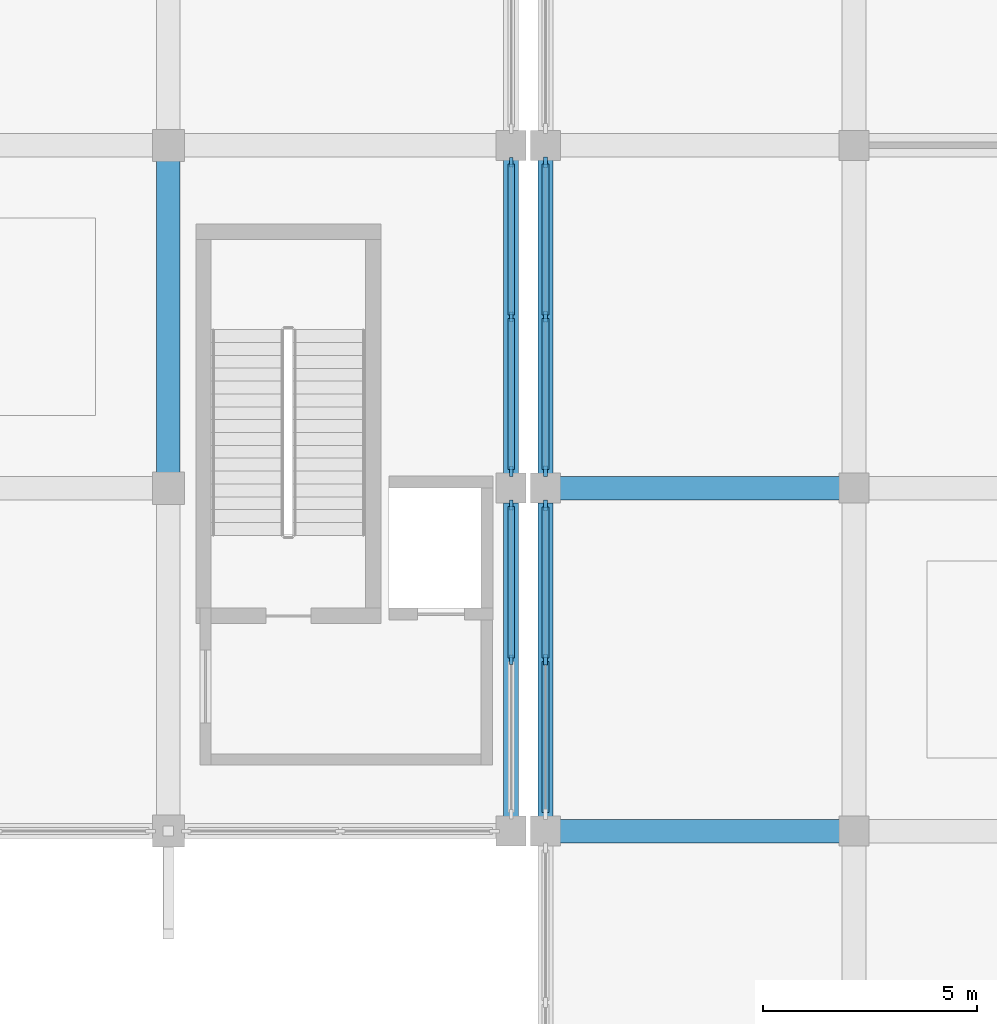
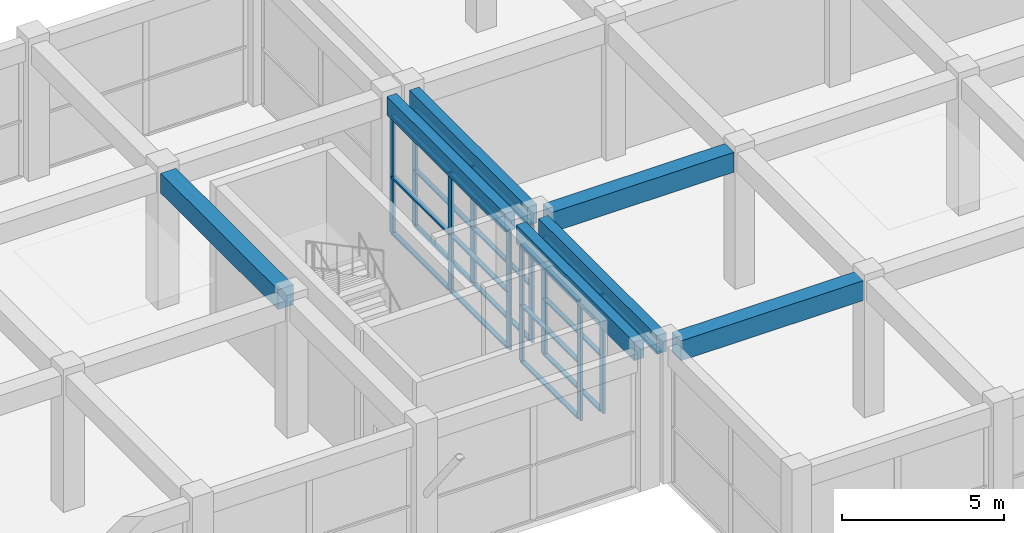
# One storey, part 16 of 69: 29 members, 7 beams, 4 elements without a shape of their own.
"""IFC4 building model written with IfcOpenShell, lengths in metres."""

from ifc_helpers import new_model, si_unit, direction, frame, origin, origin_2d, place, context, subcontext, project, spatial, rectangle, extrude, material, material_profile, profile_set, type_object, element, aggregate, save


model = new_model("IFC4")

# Units and contexts
model_context = context("Model", 3, precision=1e-05, world=origin(), true_north=direction((0.0, 1.0)))
body_context = subcontext(model_context, "Body", "Model", "MODEL_VIEW")
ifc_project = project(units=[si_unit("LENGTHUNIT", "METRE"), si_unit("AREAUNIT", "SQUARE_METRE"), si_unit("VOLUMEUNIT", "CUBIC_METRE"), si_unit("PLANEANGLEUNIT", "RADIAN"), si_unit("MASSUNIT", "GRAM", prefix="KILO")], contexts=[model_context])

# Site, building, storey
site_placement = place(None, origin())
site = spatial("IfcSite", under=ifc_project, at=site_placement, CompositionType="ELEMENT")
building_placement = place(site_placement, origin())
building = spatial("IfcBuilding", under=site, at=building_placement, Name="Kenh Van Central Station", CompositionType="ELEMENT")
storey_placement = place(building_placement, frame((0.0, 0.0, 5.39990234375)))
storey = spatial("IfcBuildingStorey", under=building, at=storey_placement, Name="L01", CompositionType="ELEMENT", Elevation=5.39990234375)

# Beams
ifc_material_1 = material(Name="Concrete C35/45", Category="concrete")
ifc_material_profile_1 = material_profile(ifc_material_1, rectangle(XDim=0.550048828125, YDim=0.75, at=origin_2d()), Name="RC 550x750")
ifc_profile_set_1 = profile_set([ifc_material_profile_1], Name="Concrete C35/45")
beam_type_1 = type_object("IfcBeamType", Name="BM-RC-550x750", PredefinedType="BEAM", material=ifc_profile_set_1)
for number, where, z_axis, x_axis, name in (
    (1, (121.139892578125, 16.0, 4.76513671875), (1.0, 0.0, 0.0), (0.0, 1.0, 0.0), "L01 beam 0650"),
    (2, (121.139892578125, 24.0, 4.76513671875), (1.0, 0.0, 0.0), (0.0, 1.0, 0.0), "L01 beam 0665"),
):
    element("IfcBeam", number, at=place(storey_placement, frame(where, z_axis=z_axis, x_axis=x_axis)), inside=storey, type_object=beam_type_1, Name=name, PredefinedType="BEAM", context=body_context, shape_type="SweptSolid", body=[
        extrude(rectangle(XDim=0.550048828125, YDim=0.75, at=origin_2d()), origin(), (0.0, 0.0, 1.0), 6.52001953125),
    ])
beam_placement = place(storey_placement, frame((112.0, 24.364990234375, 4.755126953125), z_axis=(0.0, 1.0, 0.0), x_axis=(-1.0, 0.0, 0.0)))
element("IfcBeam", 3, at=beam_placement, inside=storey, type_object=beam_type_1, Name="L01 beam 0837", PredefinedType="BEAM", context=body_context, shape_type="SweptSolid", body=[
    extrude(rectangle(XDim=0.550048828125, YDim=0.75, at=origin_2d()), origin(), (0.0, 0.0, 1.0), 7.27001953125),
])

# Curtain wall, members
ifc_material_2 = material(Name="Champagne anodised aluminium", Category="aluminium")
curtain_wall_type_1 = type_object("IfcCurtainWallType", Name="CW-OPER-B", PredefinedType="NOTDEFINED", material=ifc_material_2)
curtain_wall_1_placement = place(storey_placement, origin())
curtain_wall_1 = element("IfcCurtainWall", 4, at=curtain_wall_1_placement, inside=storey, type_object=curtain_wall_type_1, Name="L01 curtain wall 156", PredefinedType="NOTDEFINED")
ifc_material_profile_2 = material_profile(ifc_material_2, rectangle(XDim=0.087890625, YDim=0.239990234375, at=origin_2d()), Name="AL 88x240")
ifc_profile_set_2 = profile_set([ifc_material_profile_2], Name="Champagne anodised aluminium")
member_type_1 = type_object("IfcMemberType", Name="CWM-60x140", PredefinedType="MULLION", material=ifc_profile_set_2)
member_1_placement = place(storey_placement, frame((120.800048828125, 31.60595703125, 0.0), z_axis=(0.0, 0.0, 1.0), x_axis=(1.0, 0.0, 0.0)))
member_1 = element("IfcMember", 5, at=member_1_placement, type_object=member_type_1, Name="CW-08 mullion 1", PredefinedType="MULLION", context=body_context, shape_type="SweptSolid", body=[
    extrude(rectangle(XDim=0.087890625, YDim=0.239990234375, at=origin_2d()), origin(), (0.0, 0.0, 1.0), 4.440185546875),
])
member_2_placement = place(storey_placement, frame((120.800048828125, 28.0, 0.0), z_axis=(0.0, 0.0, 1.0), x_axis=(1.0, 0.0, 0.0)))
member_2 = element("IfcMember", 6, at=member_2_placement, type_object=member_type_1, Name="CW-08 mullion 2", PredefinedType="MULLION", context=body_context, shape_type="SweptSolid", body=[
    extrude(rectangle(XDim=0.087890625, YDim=0.239990234375, at=origin_2d()), origin(), (0.0, 0.0, 1.0), 4.440185546875),
])
member_3_placement = place(storey_placement, frame((120.800048828125, 24.39404296875, 0.0), z_axis=(0.0, 0.0, 1.0), x_axis=(1.0, 0.0, 0.0)))
member_3 = element("IfcMember", 7, at=member_3_placement, type_object=member_type_1, Name="CW-08 mullion 3", PredefinedType="MULLION", context=body_context, shape_type="SweptSolid", body=[
    extrude(rectangle(XDim=0.087890625, YDim=0.239990234375, at=origin_2d()), origin(), (0.0, 0.0, 1.0), 4.440185546875),
])

curtain_wall_2_placement = place(storey_placement, origin())
curtain_wall_2 = element("IfcCurtainWall", 8, at=curtain_wall_2_placement, inside=storey, type_object=curtain_wall_type_1, Name="L01 curtain wall 157", PredefinedType="NOTDEFINED")
member_4_placement = place(storey_placement, frame((120.800048828125, 23.60595703125, 0.0), z_axis=(0.0, 0.0, 1.0), x_axis=(1.0, 0.0, 0.0)))
member_4 = element("IfcMember", 9, at=member_4_placement, type_object=member_type_1, Name="CW-08 mullion 1", PredefinedType="MULLION", context=body_context, shape_type="SweptSolid", body=[
    extrude(rectangle(XDim=0.087890625, YDim=0.239990234375, at=origin_2d()), origin(), (0.0, 0.0, 1.0), 4.440185546875),
])
member_5_placement = place(storey_placement, frame((120.800048828125, 20.0, 0.0), z_axis=(0.0, 0.0, 1.0), x_axis=(1.0, 0.0, 0.0)))
member_5 = element("IfcMember", 10, at=member_5_placement, type_object=member_type_1, Name="CW-08 mullion 2", PredefinedType="MULLION", context=body_context, shape_type="SweptSolid", body=[
    extrude(rectangle(XDim=0.087890625, YDim=0.239990234375, at=origin_2d()), origin(), (0.0, 0.0, 1.0), 4.440185546875),
])

curtain_wall_type_2 = type_object("IfcCurtainWallType", Name="CW-CONC-B", PredefinedType="NOTDEFINED", material=ifc_material_2)
curtain_wall_3_placement = place(storey_placement, origin())
curtain_wall_3 = element("IfcCurtainWall", 11, at=curtain_wall_3_placement, inside=storey, type_object=curtain_wall_type_2, Name="L01 curtain wall 121", PredefinedType="NOTDEFINED")
ifc_material_profile_3 = material_profile(ifc_material_2, rectangle(XDim=0.08203125, YDim=0.22509765625, at=origin_2d()), Name="AL 82x225")
ifc_profile_set_3 = profile_set([ifc_material_profile_3], Name="Champagne anodised aluminium")
member_type_2 = type_object("IfcMemberType", Name="CWM-70x180", PredefinedType="MULLION", material=ifc_profile_set_3)
member_6_placement = place(storey_placement, frame((120.0, 20.0, 0.0), z_axis=(0.0, 0.0, 1.0), x_axis=(-1.0, 0.0, 0.0)))
member_6 = element("IfcMember", 12, at=member_6_placement, type_object=member_type_2, Name="CW-04 mullion 2", PredefinedType="MULLION", context=body_context, shape_type="SweptSolid", body=[
    extrude(rectangle(XDim=0.08203125, YDim=0.22509765625, at=origin_2d()), origin(), (0.0, 0.0, 1.0), 4.47998046875),
])
member_7_placement = place(storey_placement, frame((120.0, 23.60888671875, 0.0), z_axis=(0.0, 0.0, 1.0), x_axis=(-1.0, 0.0, 0.0)))
member_7 = element("IfcMember", 13, at=member_7_placement, type_object=member_type_2, Name="CW-04 mullion 3", PredefinedType="MULLION", context=body_context, shape_type="SweptSolid", body=[
    extrude(rectangle(XDim=0.08203125, YDim=0.22509765625, at=origin_2d()), origin(), (0.0, 0.0, 1.0), 4.47998046875),
])

curtain_wall_4_placement = place(storey_placement, origin())
curtain_wall_4 = element("IfcCurtainWall", 14, at=curtain_wall_4_placement, inside=storey, type_object=curtain_wall_type_2, Name="L01 curtain wall 122", PredefinedType="NOTDEFINED")
member_8_placement = place(storey_placement, frame((120.0, 24.39111328125, 0.0), z_axis=(0.0, 0.0, 1.0), x_axis=(-1.0, 0.0, 0.0)))
member_8 = element("IfcMember", 15, at=member_8_placement, type_object=member_type_2, Name="CW-04 mullion 1", PredefinedType="MULLION", context=body_context, shape_type="SweptSolid", body=[
    extrude(rectangle(XDim=0.08203125, YDim=0.22509765625, at=origin_2d()), origin(), (0.0, 0.0, 1.0), 4.47998046875),
])
member_9_placement = place(storey_placement, frame((120.0, 28.0, 0.0), z_axis=(0.0, 0.0, 1.0), x_axis=(-1.0, 0.0, 0.0)))
member_9 = element("IfcMember", 16, at=member_9_placement, type_object=member_type_2, Name="CW-04 mullion 2", PredefinedType="MULLION", context=body_context, shape_type="SweptSolid", body=[
    extrude(rectangle(XDim=0.08203125, YDim=0.22509765625, at=origin_2d()), origin(), (0.0, 0.0, 1.0), 4.47998046875),
])
member_10_placement = place(storey_placement, frame((120.0, 31.60888671875, 0.0), z_axis=(0.0, 0.0, 1.0), x_axis=(-1.0, 0.0, 0.0)))
member_10 = element("IfcMember", 17, at=member_10_placement, type_object=member_type_2, Name="CW-04 mullion 3", PredefinedType="MULLION", context=body_context, shape_type="SweptSolid", body=[
    extrude(rectangle(XDim=0.08203125, YDim=0.22509765625, at=origin_2d()), origin(), (0.0, 0.0, 1.0), 4.47998046875),
])

# Member
ifc_material_profile_4 = material_profile(ifc_material_2, rectangle(XDim=0.155029296875, YDim=0.072021484375, at=origin_2d()), Name="AL 155x72")
ifc_profile_set_4 = profile_set([ifc_material_profile_4], Name="Champagne anodised aluminium")
member_type_3 = type_object("IfcMemberType", Name="CWT-120x60", PredefinedType="USERDEFINED", material=ifc_profile_set_4)
member_11_placement = place(storey_placement, frame((120.0, 20.041015625, 0.0361328125), z_axis=(0.0, 1.0, 0.0), x_axis=(-1.0, 0.0, 0.0)))
member_11 = element("IfcMember", 18, at=member_11_placement, type_object=member_type_3, Name="CW-04 transom 2.1", ObjectType="TRANSOM", PredefinedType="USERDEFINED", context=body_context, shape_type="SweptSolid", body=[
    extrude(rectangle(XDim=0.155029296875, YDim=0.072021484375, at=origin_2d()), origin(), (0.0, 0.0, 1.0), 3.527099609375),
])

member_12_placement = place(storey_placement, frame((120.0, 20.041015625, 2.150390625), z_axis=(0.0, 1.0, 0.0), x_axis=(-1.0, 0.0, 0.0)))
member_12 = element("IfcMember", 19, at=member_12_placement, type_object=member_type_3, Name="CW-04 transom 2.2", ObjectType="TRANSOM", PredefinedType="USERDEFINED", context=body_context, shape_type="SweptSolid", body=[
    extrude(rectangle(XDim=0.155029296875, YDim=0.072021484375, at=origin_2d()), origin(), (0.0, 0.0, 1.0), 3.527099609375),
])

member_13_placement = place(storey_placement, frame((120.0, 20.041015625, 4.444091796875), z_axis=(0.0, 1.0, 0.0), x_axis=(-1.0, 0.0, 0.0)))
member_13 = element("IfcMember", 20, at=member_13_placement, type_object=member_type_3, Name="CW-04 transom 2.3", ObjectType="TRANSOM", PredefinedType="USERDEFINED", context=body_context, shape_type="SweptSolid", body=[
    extrude(rectangle(XDim=0.155029296875, YDim=0.072021484375, at=origin_2d()), origin(), (0.0, 0.0, 1.0), 3.527099609375),
])

aggregate(curtain_wall_3, [member_6, member_7, member_11, member_12, member_13])

member_14_placement = place(storey_placement, frame((120.0, 24.431884765625, 0.0361328125), z_axis=(0.0, 1.0, 0.0), x_axis=(-1.0, 0.0, 0.0)))
member_14 = element("IfcMember", 21, at=member_14_placement, type_object=member_type_3, Name="CW-04 transom 1.1", ObjectType="TRANSOM", PredefinedType="USERDEFINED", context=body_context, shape_type="SweptSolid", body=[
    extrude(rectangle(XDim=0.155029296875, YDim=0.072021484375, at=origin_2d()), origin(), (0.0, 0.0, 1.0), 3.527099609375),
])

member_15_placement = place(storey_placement, frame((120.0, 24.431884765625, 2.150390625), z_axis=(0.0, 1.0, 0.0), x_axis=(-1.0, 0.0, 0.0)))
member_15 = element("IfcMember", 22, at=member_15_placement, type_object=member_type_3, Name="CW-04 transom 1.2", ObjectType="TRANSOM", PredefinedType="USERDEFINED", context=body_context, shape_type="SweptSolid", body=[
    extrude(rectangle(XDim=0.155029296875, YDim=0.072021484375, at=origin_2d()), origin(), (0.0, 0.0, 1.0), 3.527099609375),
])

member_16_placement = place(storey_placement, frame((120.0, 24.431884765625, 4.444091796875), z_axis=(0.0, 1.0, 0.0), x_axis=(-1.0, 0.0, 0.0)))
member_16 = element("IfcMember", 23, at=member_16_placement, type_object=member_type_3, Name="CW-04 transom 1.3", ObjectType="TRANSOM", PredefinedType="USERDEFINED", context=body_context, shape_type="SweptSolid", body=[
    extrude(rectangle(XDim=0.155029296875, YDim=0.072021484375, at=origin_2d()), origin(), (0.0, 0.0, 1.0), 3.527099609375),
])

member_17_placement = place(storey_placement, frame((120.0, 28.041015625, 0.0361328125), z_axis=(0.0, 1.0, 0.0), x_axis=(-1.0, 0.0, 0.0)))
member_17 = element("IfcMember", 24, at=member_17_placement, type_object=member_type_3, Name="CW-04 transom 2.1", ObjectType="TRANSOM", PredefinedType="USERDEFINED", context=body_context, shape_type="SweptSolid", body=[
    extrude(rectangle(XDim=0.155029296875, YDim=0.072021484375, at=origin_2d()), origin(), (0.0, 0.0, 1.0), 3.527099609375),
])

member_18_placement = place(storey_placement, frame((120.0, 28.041015625, 2.150390625), z_axis=(0.0, 1.0, 0.0), x_axis=(-1.0, 0.0, 0.0)))
member_18 = element("IfcMember", 25, at=member_18_placement, type_object=member_type_3, Name="CW-04 transom 2.2", ObjectType="TRANSOM", PredefinedType="USERDEFINED", context=body_context, shape_type="SweptSolid", body=[
    extrude(rectangle(XDim=0.155029296875, YDim=0.072021484375, at=origin_2d()), origin(), (0.0, 0.0, 1.0), 3.527099609375),
])

member_19_placement = place(storey_placement, frame((120.0, 28.041015625, 4.444091796875), z_axis=(0.0, 1.0, 0.0), x_axis=(-1.0, 0.0, 0.0)))
member_19 = element("IfcMember", 26, at=member_19_placement, type_object=member_type_3, Name="CW-04 transom 2.3", ObjectType="TRANSOM", PredefinedType="USERDEFINED", context=body_context, shape_type="SweptSolid", body=[
    extrude(rectangle(XDim=0.155029296875, YDim=0.072021484375, at=origin_2d()), origin(), (0.0, 0.0, 1.0), 3.527099609375),
])

aggregate(curtain_wall_4, [member_8, member_9, member_10, member_14, member_15, member_16, member_17, member_18, member_19])

member_20_placement = place(storey_placement, frame((120.800048828125, 31.56201171875, 0.0361328125), z_axis=(0.0, -1.0, 0.0), x_axis=(1.0, 0.0, 0.0)))
member_20 = element("IfcMember", 27, at=member_20_placement, type_object=member_type_3, Name="CW-08 transom 1.1", ObjectType="TRANSOM", PredefinedType="USERDEFINED", context=body_context, shape_type="SweptSolid", body=[
    extrude(rectangle(XDim=0.155029296875, YDim=0.072021484375, at=origin_2d()), origin(), (0.0, 0.0, 1.0), 3.51806640625),
])

member_21_placement = place(storey_placement, frame((120.800048828125, 31.56201171875, 2.13134765625), z_axis=(0.0, -1.0, 0.0), x_axis=(1.0, 0.0, 0.0)))
member_21 = element("IfcMember", 28, at=member_21_placement, type_object=member_type_3, Name="CW-08 transom 1.2", ObjectType="TRANSOM", PredefinedType="USERDEFINED", context=body_context, shape_type="SweptSolid", body=[
    extrude(rectangle(XDim=0.155029296875, YDim=0.072021484375, at=origin_2d()), origin(), (0.0, 0.0, 1.0), 3.51806640625),
])

member_22_placement = place(storey_placement, frame((120.800048828125, 31.56201171875, 4.404052734375), z_axis=(0.0, -1.0, 0.0), x_axis=(1.0, 0.0, 0.0)))
member_22 = element("IfcMember", 29, at=member_22_placement, type_object=member_type_3, Name="CW-08 transom 1.3", ObjectType="TRANSOM", PredefinedType="USERDEFINED", context=body_context, shape_type="SweptSolid", body=[
    extrude(rectangle(XDim=0.155029296875, YDim=0.072021484375, at=origin_2d()), origin(), (0.0, 0.0, 1.0), 3.51806640625),
])

member_23_placement = place(storey_placement, frame((120.800048828125, 27.9560546875, 0.0361328125), z_axis=(0.0, -1.0, 0.0), x_axis=(1.0, 0.0, 0.0)))
member_23 = element("IfcMember", 30, at=member_23_placement, type_object=member_type_3, Name="CW-08 transom 2.1", ObjectType="TRANSOM", PredefinedType="USERDEFINED", context=body_context, shape_type="SweptSolid", body=[
    extrude(rectangle(XDim=0.155029296875, YDim=0.072021484375, at=origin_2d()), origin(), (0.0, 0.0, 1.0), 3.51806640625),
])

member_24_placement = place(storey_placement, frame((120.800048828125, 27.9560546875, 2.13134765625), z_axis=(0.0, -1.0, 0.0), x_axis=(1.0, 0.0, 0.0)))
member_24 = element("IfcMember", 31, at=member_24_placement, type_object=member_type_3, Name="CW-08 transom 2.2", ObjectType="TRANSOM", PredefinedType="USERDEFINED", context=body_context, shape_type="SweptSolid", body=[
    extrude(rectangle(XDim=0.155029296875, YDim=0.072021484375, at=origin_2d()), origin(), (0.0, 0.0, 1.0), 3.51806640625),
])

member_25_placement = place(storey_placement, frame((120.800048828125, 27.9560546875, 4.404052734375), z_axis=(0.0, -1.0, 0.0), x_axis=(1.0, 0.0, 0.0)))
member_25 = element("IfcMember", 32, at=member_25_placement, type_object=member_type_3, Name="CW-08 transom 2.3", ObjectType="TRANSOM", PredefinedType="USERDEFINED", context=body_context, shape_type="SweptSolid", body=[
    extrude(rectangle(XDim=0.155029296875, YDim=0.072021484375, at=origin_2d()), origin(), (0.0, 0.0, 1.0), 3.51806640625),
])

aggregate(curtain_wall_1, [member_1, member_2, member_3, member_20, member_21, member_22, member_23, member_24, member_25])

member_26_placement = place(storey_placement, frame((120.800048828125, 23.56201171875, 0.0361328125), z_axis=(0.0, -1.0, 0.0), x_axis=(1.0, 0.0, 0.0)))
member_26 = element("IfcMember", 33, at=member_26_placement, type_object=member_type_3, Name="CW-08 transom 1.1", ObjectType="TRANSOM", PredefinedType="USERDEFINED", context=body_context, shape_type="SweptSolid", body=[
    extrude(rectangle(XDim=0.155029296875, YDim=0.072021484375, at=origin_2d()), origin(), (0.0, 0.0, 1.0), 3.51806640625),
])

member_27_placement = place(storey_placement, frame((120.800048828125, 23.56201171875, 2.13134765625), z_axis=(0.0, -1.0, 0.0), x_axis=(1.0, 0.0, 0.0)))
member_27 = element("IfcMember", 34, at=member_27_placement, type_object=member_type_3, Name="CW-08 transom 1.2", ObjectType="TRANSOM", PredefinedType="USERDEFINED", context=body_context, shape_type="SweptSolid", body=[
    extrude(rectangle(XDim=0.155029296875, YDim=0.072021484375, at=origin_2d()), origin(), (0.0, 0.0, 1.0), 3.51806640625),
])

member_28_placement = place(storey_placement, frame((120.800048828125, 23.56201171875, 4.404052734375), z_axis=(0.0, -1.0, 0.0), x_axis=(1.0, 0.0, 0.0)))
member_28 = element("IfcMember", 35, at=member_28_placement, type_object=member_type_3, Name="CW-08 transom 1.3", ObjectType="TRANSOM", PredefinedType="USERDEFINED", context=body_context, shape_type="SweptSolid", body=[
    extrude(rectangle(XDim=0.155029296875, YDim=0.072021484375, at=origin_2d()), origin(), (0.0, 0.0, 1.0), 3.51806640625),
])

member_29_placement = place(storey_placement, frame((120.800048828125, 19.9560546875, 4.404052734375), z_axis=(0.0, -1.0, 0.0), x_axis=(1.0, 0.0, 0.0)))
member_29 = element("IfcMember", 36, at=member_29_placement, type_object=member_type_3, Name="CW-08 transom 2.3", ObjectType="TRANSOM", PredefinedType="USERDEFINED", context=body_context, shape_type="SweptSolid", body=[
    extrude(rectangle(XDim=0.155029296875, YDim=0.072021484375, at=origin_2d()), origin(), (0.0, 0.0, 1.0), 3.51806640625),
])

aggregate(curtain_wall_2, [member_4, member_5, member_26, member_27, member_28, member_29])

# Beams
ifc_material_profile_5 = material_profile(ifc_material_1, rectangle(XDim=0.35009765625, YDim=0.699951171875, at=origin_2d()), Name="RC 350x700")
ifc_profile_set_5 = profile_set([ifc_material_profile_5], Name="Concrete C35/45")
beam_type_2 = type_object("IfcBeamType", Name="SPD-RC-350x700", PredefinedType="SPANDREL", material=ifc_profile_set_5)
for number, where, z_axis, x_axis, name in (
    (37, (120.0, 16.340087890625, 4.830078125), (0.0, 1.0, 0.0), (-1.0, 0.0, 0.0), "L01 beam 0839"),
    (38, (120.0, 24.340087890625, 4.830078125), (0.0, 1.0, 0.0), (-1.0, 0.0, 0.0), "L01 beam 0840"),
    (39, (120.800048828125, 16.340087890625, 4.7900390625), (0.0, 1.0, 0.0), (-1.0, 0.0, 0.0), "L01 beam 0843"),
    (40, (120.800048828125, 24.340087890625, 4.7900390625), (0.0, 1.0, 0.0), (-1.0, 0.0, 0.0), "L01 beam 0844"),
):
    element("IfcBeam", number, at=place(storey_placement, frame(where, z_axis=z_axis, x_axis=x_axis)), inside=storey, type_object=beam_type_2, Name=name, PredefinedType="SPANDREL", context=body_context, shape_type="SweptSolid", body=[
        extrude(rectangle(XDim=0.35009765625, YDim=0.699951171875, at=origin_2d()), origin(), (0.0, 0.0, 1.0), 7.31982421875),
    ])

save(model, "model.ifc")
